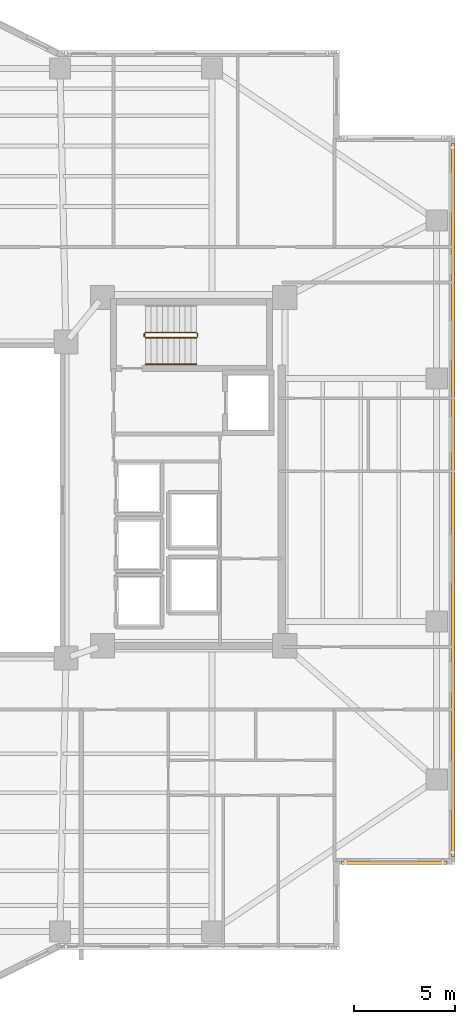
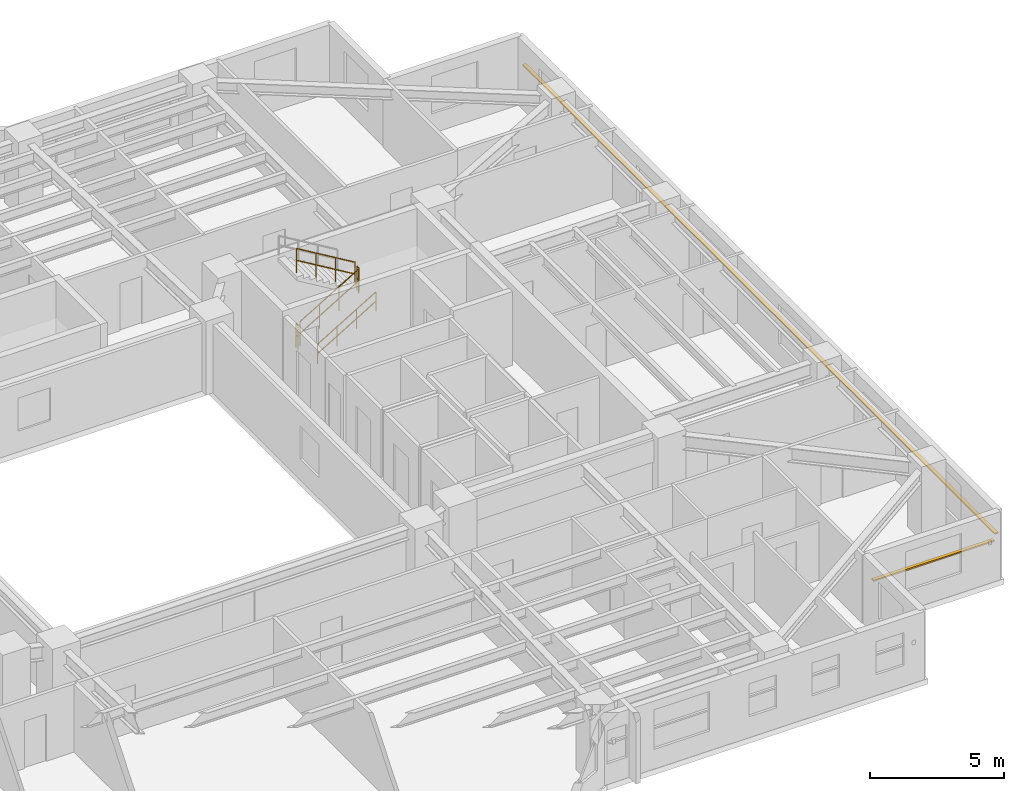
# One storey, part 16 of 18: 5 railings, 2 shading devices.
"""IFC4 building model written with IfcOpenShell, lengths in metres."""

from ifc_helpers import new_model, si_unit, direction, frame, origin, origin_2d, place, context, subcontext, project, spatial, rectangle, circle, extrude, material, material_profile, profile_set, type_object, element, save


model = new_model("IFC4")

# Units and contexts
model_context = context("Model", 3, precision=1e-05, world=origin(), true_north=direction((0.0, 1.0)))
body_context = subcontext(model_context, "Body", "Model", "MODEL_VIEW")
ifc_project = project(units=[si_unit("LENGTHUNIT", "METRE"), si_unit("AREAUNIT", "SQUARE_METRE"), si_unit("VOLUMEUNIT", "CUBIC_METRE"), si_unit("PLANEANGLEUNIT", "RADIAN"), si_unit("MASSUNIT", "GRAM", prefix="KILO")], contexts=[model_context])

# Site, building, storey
site_placement = place(None, origin())
site = spatial("IfcSite", under=ifc_project, at=site_placement, CompositionType="ELEMENT")
building_placement = place(site_placement, origin())
building = spatial("IfcBuilding", under=site, at=building_placement, Name="Tarnavaz Court Tower", CompositionType="ELEMENT")
storey_placement = place(building_placement, frame((0.0, 0.0, 105.10009765625)))
storey = spatial("IfcBuildingStorey", under=building, at=storey_placement, Name="L28", CompositionType="ELEMENT", Elevation=105.10009765625)

# Railings
ifc_material_1 = material(Name="Brushed Stainless Steel", Category="steel")
railing_type_1 = type_object("IfcRailingType", Name="RL-HANDRAIL-900", PredefinedType="HANDRAIL", material=ifc_material_1)
railing_1_placement = place(storey_placement, frame((11.719970703125, 6.699951171875, 0.16748046875)))
element("IfcRailing", 1, at=railing_1_placement, inside=storey, type_object=railing_type_1, Name="L28 ST-E1 stair handrail 1", PredefinedType="HANDRAIL", context=body_context, shape_type="SweptSolid", body=[
    extrude(circle(Radius=0.02392578125, at=origin_2d()), frame((0.0, 0.0, 0.8759765625), z_axis=(0.858196387827, 0.0, 0.513321497621), x_axis=(0.0, 1.0, 0.0)), (0.0, 0.0, 1.0), 2.9365234375),
    extrude(circle(Radius=0.02392578125, at=origin_2d()), frame((0.0, 0.0, 0.449951171875), z_axis=(0.858196387827, 0.0, 0.513321497621), x_axis=(0.0, 1.0, 0.0)), (0.0, 0.0, 1.0), 2.9365234375),
    extrude(circle(Radius=0.02099609375, at=origin_2d()), origin(), (0.0, 0.0, 1.0), 0.851806640625),
    extrude(circle(Radius=0.02099609375, at=origin_2d()), frame((0.840087890625, 0.0, 0.50244140625)), (0.0, 0.0, 1.0), 0.851806640625),
    extrude(circle(Radius=0.02099609375, at=origin_2d()), frame((1.679931640625, 0.0, 1.0048828125)), (0.0, 0.0, 1.0), 0.851806640625),
    extrude(circle(Radius=0.02099609375, at=origin_2d()), frame((2.52001953125, 0.0, 1.50732421875)), (0.0, 0.0, 1.0), 0.851806640625),
])
ifc_material_2 = material(Name="Galvanized Painted Tubular Steel", Category="steel")
railing_type_2 = type_object("IfcRailingType", Name="RL-STGUARD-1120", PredefinedType="GUARDRAIL", material=ifc_material_2)
railing_2_placement = place(storey_placement, frame((11.719970703125, 8.02001953125, 0.16748046875)))
element("IfcRailing", 2, at=railing_2_placement, inside=storey, type_object=railing_type_2, Name="L28 ST-E1 stair guard 1", PredefinedType="GUARDRAIL", context=body_context, shape_type="SweptSolid", body=[
    extrude(circle(Radius=0.02392578125, at=origin_2d()), frame((0.0, 0.0, 1.09619140625), z_axis=(0.858196387827, 0.0, 0.513321497621), x_axis=(0.0, 1.0, 0.0)), (0.0, 0.0, 1.0), 2.9365234375),
    extrude(circle(Radius=0.02392578125, at=origin_2d()), frame((0.0, 0.0, 0.56005859375), z_axis=(0.858196387827, 0.0, 0.513321497621), x_axis=(0.0, 1.0, 0.0)), (0.0, 0.0, 1.0), 2.9365234375),
    extrude(circle(Radius=0.02099609375, at=origin_2d()), origin(), (0.0, 0.0, 1.0), 1.072021484375),
    extrude(circle(Radius=0.02099609375, at=origin_2d()), frame((0.840087890625, 0.0, 0.50244140625)), (0.0, 0.0, 1.0), 1.072021484375),
    extrude(circle(Radius=0.02099609375, at=origin_2d()), frame((1.679931640625, 0.0, 1.0048828125)), (0.0, 0.0, 1.0), 1.072021484375),
    extrude(circle(Radius=0.02099609375, at=origin_2d()), frame((2.52001953125, 0.0, 1.50732421875)), (0.0, 0.0, 1.0), 1.072021484375),
])
railing_3_placement = place(storey_placement, frame((14.2900390625, 8.070068359375, 1.6748046875)))
element("IfcRailing", 3, at=railing_3_placement, inside=storey, type_object=railing_type_2, Name="L28 ST-E1 stair guard 2", PredefinedType="GUARDRAIL", context=body_context, shape_type="SweptSolid", body=[
    extrude(circle(Radius=0.02392578125, at=origin_2d()), frame((0.0, 0.0, 1.09619140625), z_axis=(0.0, 1.0, 0.0), x_axis=(-1.0, 0.0, 0.0)), (0.0, 0.0, 1.0), 0.14990234375),
    extrude(circle(Radius=0.02392578125, at=origin_2d()), frame((0.0, 0.0, 0.56005859375), z_axis=(0.0, 1.0, 0.0), x_axis=(-1.0, 0.0, 0.0)), (0.0, 0.0, 1.0), 0.14990234375),
    extrude(circle(Radius=0.02099609375, at=origin_2d()), origin(), (0.0, 0.0, 1.0), 1.072021484375),
    extrude(circle(Radius=0.02099609375, at=origin_2d()), frame((0.0, 0.14990234375, 0.0)), (0.0, 0.0, 1.0), 1.072021484375),
])
railing_4_placement = place(storey_placement, frame((14.239990234375, 8.27001953125, 1.84228515625)))
element("IfcRailing", 4, at=railing_4_placement, inside=storey, type_object=railing_type_2, Name="L28 ST-E1 stair guard 3", PredefinedType="GUARDRAIL", context=body_context, shape_type="SweptSolid", body=[
    extrude(circle(Radius=0.02392578125, at=origin_2d()), frame((0.0, 0.0, 1.09619140625), z_axis=(-0.858159760407, 0.0, 0.513382728203), x_axis=(0.0, -1.0, 0.0)), (0.0, 0.0, 1.0), 2.9365234375),
    extrude(circle(Radius=0.02392578125, at=origin_2d()), frame((0.0, 0.0, 0.56005859375), z_axis=(-0.858159760407, 0.0, 0.513382728203), x_axis=(0.0, -1.0, 0.0)), (0.0, 0.0, 1.0), 2.9365234375),
    extrude(circle(Radius=0.02099609375, at=origin_2d()), origin(), (0.0, 0.0, 1.0), 1.072021484375),
    extrude(circle(Radius=0.02099609375, at=origin_2d()), frame((-0.840087890625, 0.0, 0.50244140625)), (0.0, 0.0, 1.0), 1.072021484375),
    extrude(circle(Radius=0.02099609375, at=origin_2d()), frame((-1.679931640625, 0.0, 1.005126953125)), (0.0, 0.0, 1.0), 1.072021484375),
    extrude(circle(Radius=0.02099609375, at=origin_2d()), frame((-2.52001953125, 0.0, 1.507568359375)), (0.0, 0.0, 1.0), 1.072021484375),
])
railing_5_placement = place(storey_placement, frame((11.669921875, 8.070068359375, 0.0)))
element("IfcRailing", 5, at=railing_5_placement, inside=storey, type_object=railing_type_2, Name="L28 ST-E1 stair guard 4", PredefinedType="GUARDRAIL", context=body_context, shape_type="SweptSolid", body=[
    extrude(circle(Radius=0.02392578125, at=origin_2d()), frame((0.0, 0.0, 1.09619140625), z_axis=(0.0, 1.0, 0.0), x_axis=(-1.0, 0.0, 0.0)), (0.0, 0.0, 1.0), 0.14990234375),
    extrude(circle(Radius=0.02392578125, at=origin_2d()), frame((0.0, 0.0, 0.56005859375), z_axis=(0.0, 1.0, 0.0), x_axis=(-1.0, 0.0, 0.0)), (0.0, 0.0, 1.0), 0.14990234375),
    extrude(circle(Radius=0.02099609375, at=origin_2d()), origin(), (0.0, 0.0, 1.0), 1.072021484375),
    extrude(circle(Radius=0.02099609375, at=origin_2d()), frame((0.0, 0.14990234375, 0.0)), (0.0, 0.0, 1.0), 1.072021484375),
])

# Shading devices
ifc_material_3 = material(Name="Kiln-Fired Khorasan Terracotta Ceramic", Category="masonry")
ifc_material_profile = material_profile(ifc_material_3, rectangle(XDim=0.14990234375, YDim=0.06494140625, at=origin_2d()), Name="TC BAGUETTE 150X65")
ifc_profile_set = profile_set([ifc_material_profile], Name="Kiln-Fired Khorasan Terracotta Ceramic")
shading_device_type = type_object("IfcShadingDeviceType", Name="SD-BAG-150", PredefinedType="USERDEFINED", material=ifc_profile_set)
shading_device_1_placement = place(storey_placement, frame((26.909912109375, 17.60009765625, 1.849853515625), z_axis=(0.0, -1.0, 0.0), x_axis=(1.0, 0.0, 0.0)))
element("IfcShadingDevice", 6, at=shading_device_1_placement, inside=storey, type_object=shading_device_type, Name="L28 Terracotta Baguette Screen FBG12", ObjectType="BAGUETTE", PredefinedType="USERDEFINED", context=body_context, shape_type="SweptSolid", body=[
    extrude(rectangle(XDim=0.14990234375, YDim=0.06494140625, at=origin_2d()), origin(), (0.0, 0.0, 1.0), 35.2001953125),
])
shading_device_2_placement = place(storey_placement, frame((26.60009765625, -17.909912109375, 1.849853515625), z_axis=(-1.0, 0.0, 0.0), x_axis=(0.0, -1.0, 0.0)))
element("IfcShadingDevice", 7, at=shading_device_2_placement, inside=storey, type_object=shading_device_type, Name="L28 Terracotta Baguette Screen FBG13", ObjectType="BAGUETTE", PredefinedType="USERDEFINED", context=body_context, shape_type="SweptSolid", body=[
    extrude(rectangle(XDim=0.14990234375, YDim=0.06494140625, at=origin_2d()), origin(), (0.0, 0.0, 1.0), 5.2001953125),
])

save(model, "model.ifc")
